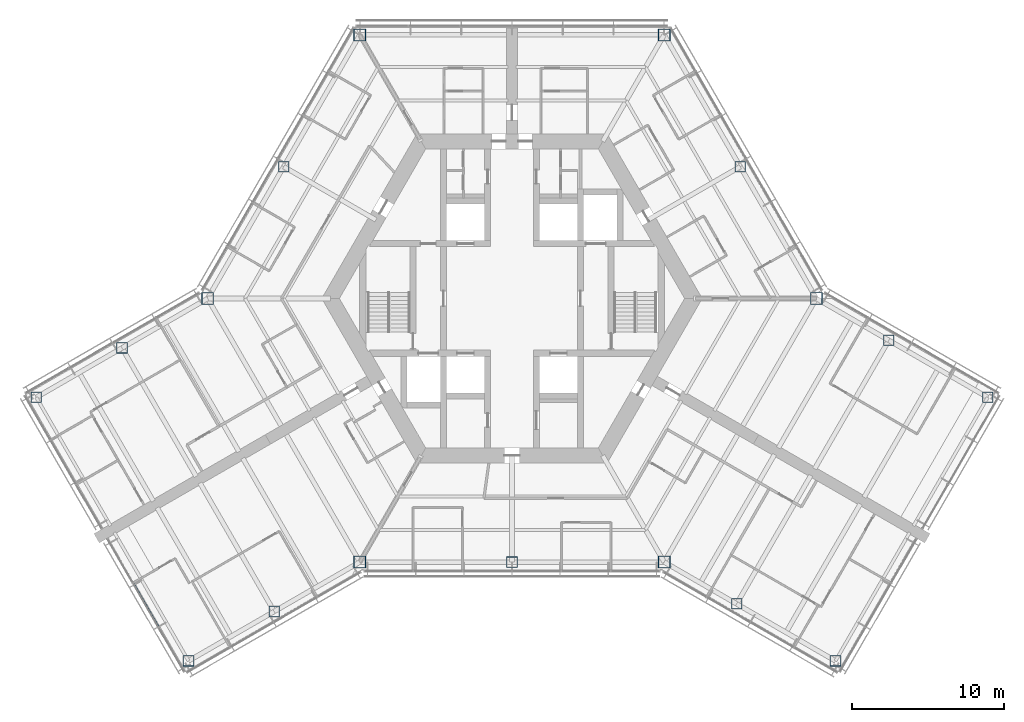
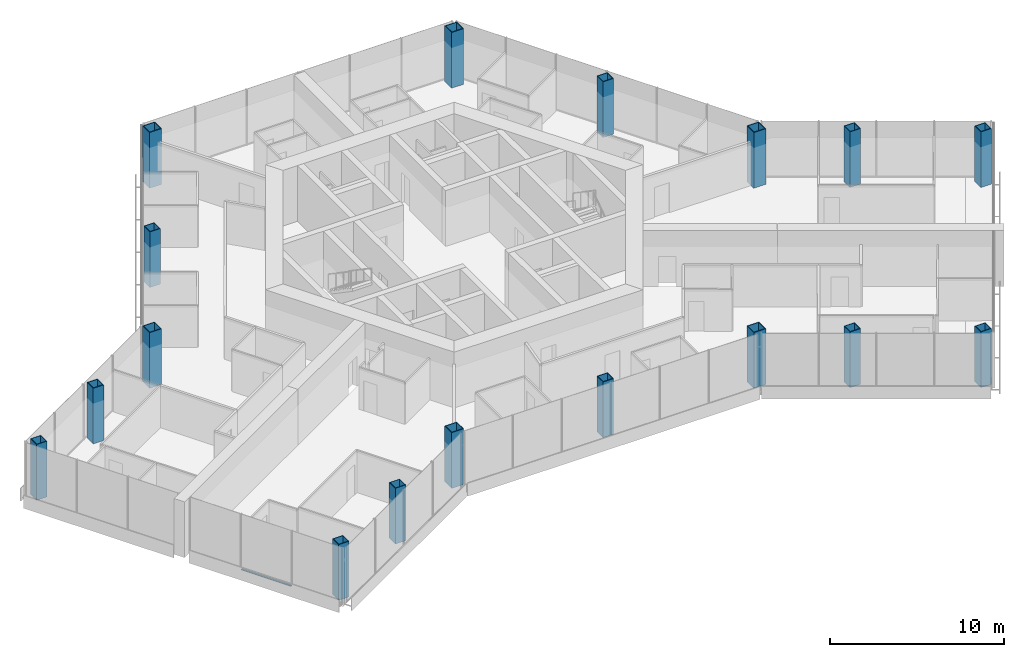
# One storey, part 1 of 19: 17 columns, 1 member, 1 element without a shape of its own.
"""IFC4 building model written with IfcOpenShell, lengths in metres."""

from ifc_helpers import new_model, si_unit, direction, frame, origin, origin_2d, place, context, subcontext, project, spatial, rectangle, hollow_rectangle, extrude, material, material_profile, profile_set, type_object, element, aggregate, save


model = new_model("IFC4")

# Units and contexts
model_context = context("Model", 3, precision=1e-05, world=origin(), true_north=direction((0.0, 1.0)))
body_context = subcontext(model_context, "Body", "Model", "MODEL_VIEW")
ifc_project = project(units=[si_unit("LENGTHUNIT", "METRE"), si_unit("AREAUNIT", "SQUARE_METRE"), si_unit("VOLUMEUNIT", "CUBIC_METRE"), si_unit("PLANEANGLEUNIT", "RADIAN"), si_unit("MASSUNIT", "GRAM", prefix="KILO")], contexts=[model_context])

# Site, building, storey
site_placement = place(None, origin())
site = spatial("IfcSite", under=ifc_project, at=site_placement, CompositionType="ELEMENT")
building_placement = place(site_placement, origin())
building = spatial("IfcBuilding", under=site, at=building_placement, Name="Kasaneha Research Tower", CompositionType="ELEMENT")
storey_placement = place(building_placement, frame((0.0, 0.0, 156.5)))
storey = spatial("IfcBuildingStorey", under=building, at=storey_placement, Name="L39", CompositionType="ELEMENT", Elevation=156.5)

# Columns
ifc_material_1 = material(Name="Steel SN490C", Category="steel")
ifc_material_profile_1 = material_profile(ifc_material_1, hollow_rectangle(XDim=0.800048828125, YDim=0.800048828125, WallThickness=0.044921875, at=origin_2d()), Name="BOX-800x800x45")
ifc_profile_set_1 = profile_set([ifc_material_profile_1], Name="Steel SN490C")
column_type_1 = type_object("IfcColumnType", Name="C3A column BOX-800x800x45", PredefinedType="COLUMN", material=ifc_profile_set_1)
for number, where, z_axis, x_axis, name in (
    (1, (20.0, 0.0, 0.0), (0.0, 0.0, 1.0), (1.0, 0.0, 0.0), "Column V0 L39"),
    (2, (10.0, 17.320556640625, 0.0), (0.0, 0.0, 1.0), (1.0, 0.0, 0.0), "Column V1 L39"),
    (3, (-10.0, 17.320556640625, 0.0), (0.0, 0.0, 1.0), (1.0, 0.0, 0.0), "Column V2 L39"),
    (4, (-20.0, 0.0, 0.0), (0.0, 0.0, 1.0), (1.0, 0.0, 0.0), "Column V3 L39"),
    (5, (-10.0, -17.320556640625, 0.0), (0.0, 0.0, 1.0), (1.0, 0.0, 0.0), "Column V4 L39"),
    (6, (10.0, -17.320556640625, 0.0), (0.0, 0.0, 1.0), (1.0, 0.0, 0.0), "Column V5 L39"),
):
    element("IfcColumn", number, at=place(storey_placement, frame(where, z_axis=z_axis, x_axis=x_axis)), inside=storey, type_object=column_type_1, Name=name, PredefinedType="COLUMN", context=body_context, shape_type="SweptSolid", body=[
        extrude(hollow_rectangle(XDim=0.800048828125, YDim=0.800048828125, WallThickness=0.044921875, at=origin_2d()), origin(), (0.0, 0.0, 1.0), 3.89990234375),
    ])
ifc_material_2 = material(Name="Steel SN490C", Category="steel")
ifc_material_profile_2 = material_profile(ifc_material_2, hollow_rectangle(XDim=0.699951171875, YDim=0.699951171875, WallThickness=0.035888671875, at=origin_2d()), Name="BOX-700x700x36")
ifc_profile_set_2 = profile_set([ifc_material_profile_2], Name="Steel SN490C")
column_type_2 = type_object("IfcColumnType", Name="C3B column BOX-700x700x36", PredefinedType="COLUMN", material=ifc_profile_set_2)
for number, where, z_axis, x_axis, name in (
    (7, (15.0, 8.66015625, 0.0), (0.0, 0.0, 1.0), (1.0, 0.0, 0.0), "Column M030 L39"),
    (8, (-15.0, 8.66015625, 0.0), (0.0, 0.0, 1.0), (1.0, 0.0, 0.0), "Column M150 L39"),
    (9, (0.0, -17.320556640625, 0.0), (0.0, 0.0, 1.0), (1.0, 0.0, 0.0), "Column M270 L39"),
    (10, (-25.629150390625, -3.25, 0.0), (0.0, 0.0, 1.0), (1.0, 0.0, 0.0), "Column BSP L39"),
    (11, (-31.25830078125, -6.5, 0.0), (0.0, 0.0, 1.0), (1.0, 0.0, 0.0), "Column BTP L39"),
    (12, (-15.629150390625, -20.570556640625, 0.0), (0.0, 0.0, 1.0), (1.0, 0.0, 0.0), "Column BSN L39"),
    (13, (-21.25830078125, -23.820556640625, 0.0), (0.0, 0.0, 1.0), (1.0, 0.0, 0.0), "Column BTN L39"),
    (14, (14.76318359375, -20.070556640625, 0.0), (0.0, 0.0, 1.0), (1.0, 0.0, 0.0), "Column CSP L39"),
    (15, (21.25830078125, -23.820556640625, 0.0), (0.0, 0.0, 1.0), (1.0, 0.0, 0.0), "Column CTP L39"),
    (16, (24.76318359375, -2.75, 0.0), (0.0, 0.0, 1.0), (1.0, 0.0, 0.0), "Column CSN L39"),
    (17, (31.25830078125, -6.5, 0.0), (0.0, 0.0, 1.0), (1.0, 0.0, 0.0), "Column CTN L39"),
):
    element("IfcColumn", number, at=place(storey_placement, frame(where, z_axis=z_axis, x_axis=x_axis)), inside=storey, type_object=column_type_2, Name=name, PredefinedType="COLUMN", context=body_context, shape_type="SweptSolid", body=[
        extrude(hollow_rectangle(XDim=0.699951171875, YDim=0.699951171875, WallThickness=0.035888671875, at=origin_2d()), origin(), (0.0, 0.0, 1.0), 3.89990234375),
    ])

# Curtain wall, member
ifc_material_3 = material(Name="Glass and aluminium", Category="aluminium")
curtain_wall_type = type_object("IfcCurtainWallType", Name="Mid-rise office curtain wall", PredefinedType="USERDEFINED", material=ifc_material_3)
curtain_wall_placement = place(storey_placement, origin())
curtain_wall = element("IfcCurtainWall", 18, at=curtain_wall_placement, inside=storey, type_object=curtain_wall_type, Name="CW-O2 L39 run 11a", ObjectType="UNITISED CURTAIN WALL", PredefinedType="USERDEFINED")
ifc_material_4 = material(Name="Aluminium 6063-T6", Category="aluminium")
ifc_material_profile_3 = material_profile(ifc_material_4, rectangle(XDim=0.110107421875, YDim=0.06005859375, at=origin_2d()), Name="CW-O2 transom 110x60")
ifc_profile_set_3 = profile_set([ifc_material_profile_3], Name="Aluminium 6063-T6")
member_type = type_object("IfcMemberType", Name="CW-O2 transom", PredefinedType="USERDEFINED", material=ifc_profile_set_3)
member_placement = place(storey_placement, frame((-24.896240234375, -18.719482421875, 0.030029296875), z_axis=(0.500010745865, -0.866019199568, 0.0), x_axis=(0.866019199568, 0.500010745865, 0.0)))
member = element("IfcMember", 19, at=member_placement, type_object=member_type, Name="CW-O2 transom 2", ObjectType="TRANSOM", PredefinedType="USERDEFINED", context=body_context, shape_type="SweptSolid", body=[
    extrude(rectangle(XDim=0.110107421875, YDim=0.06005859375, at=origin_2d()), origin(), (0.0, 0.0, 1.0), 3.3232421875),
])
aggregate(curtain_wall, [member])

save(model, "model.ifc")
